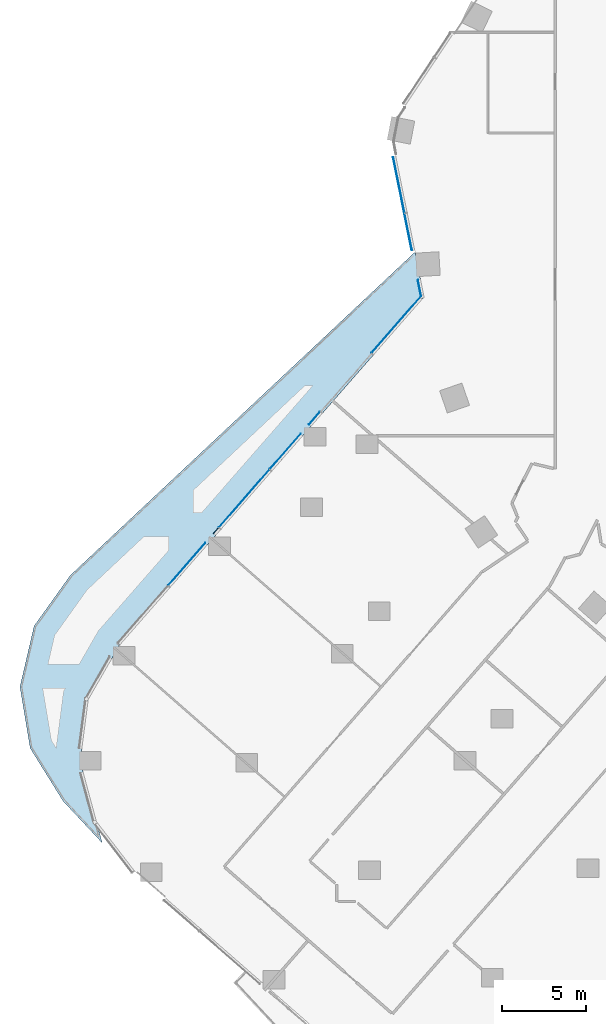
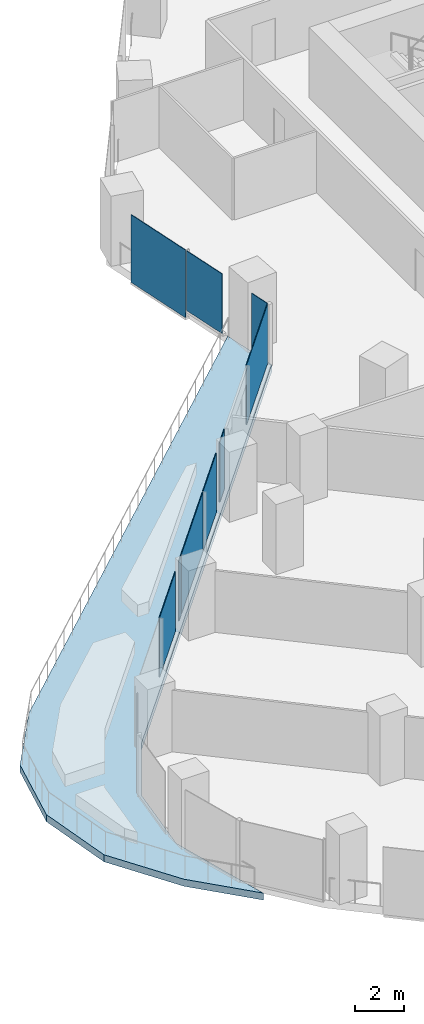
# One storey, part 18 of 32: 9 plates, 1 slab, 2 elements without a shape of their own.
"""IFC4 building model written with IfcOpenShell, lengths in metres."""

from ifc_helpers import new_model, si_unit, direction, frame, origin, origin_2d, place, context, subcontext, project, spatial, polyline, rectangle, outline, extrude, material, layer, layer_set, type_object, element, aggregate, save


model = new_model("IFC4")

# Units and contexts
model_context = context("Model", 3, precision=1e-05, world=origin(), true_north=direction((0.0, 1.0)))
body_context = subcontext(model_context, "Body", "Model", "MODEL_VIEW")
ifc_project = project(units=[si_unit("LENGTHUNIT", "METRE"), si_unit("AREAUNIT", "SQUARE_METRE"), si_unit("VOLUMEUNIT", "CUBIC_METRE"), si_unit("PLANEANGLEUNIT", "RADIAN"), si_unit("MASSUNIT", "GRAM", prefix="KILO")], contexts=[model_context])

# Site, building, storey
site_placement = place(None, origin())
site = spatial("IfcSite", under=ifc_project, at=site_placement, CompositionType="ELEMENT")
building_placement = place(site_placement, origin())
building = spatial("IfcBuilding", under=site, at=building_placement, Name="Orlundy Tower", CompositionType="ELEMENT")
storey_placement = place(building_placement, frame((0.0, 0.0, 58.800048828125)))
storey = spatial("IfcBuildingStorey", under=building, at=storey_placement, Name="L13", CompositionType="ELEMENT", Elevation=58.800048828125)

# Curtain wall, plates
ifc_material_1 = material(Name="Aluminium bronze anodised", Category="aluminium")
curtain_wall_type = type_object("IfcCurtainWallType", Name="CW1 wall", PredefinedType="NOTDEFINED", material=ifc_material_1)
curtain_wall_1_placement = place(storey_placement, origin())
curtain_wall_1 = element("IfcCurtainWall", 1, at=curtain_wall_1_placement, inside=storey, type_object=curtain_wall_type, Name="CW1 run 012", PredefinedType="NOTDEFINED")
ifc_material_2 = material(Name="Tinted glass", Category="glass")
ifc_layer_1 = layer(ifc_material_2, 0.031982421875)
ifc_layer_set_1 = layer_set([ifc_layer_1], Name="CW1 glass panel 32")
plate_type = type_object("IfcPlateType", Name="CW1 glass panel 32", PredefinedType="CURTAIN_PANEL", material=ifc_layer_set_1)
plate_1_placement = place(storey_placement, frame((-43.957275390625, -19.63818359375, 0.119873046875), z_axis=(0.0, 0.0, 1.0), x_axis=(0.658273153933, 0.752779154075, 0.0)))
plate_1 = element("IfcPlate", 2, at=plate_1_placement, type_object=plate_type, Name="CW1 panel", PredefinedType="CURTAIN_PANEL", context=body_context, shape_type="SweptSolid", body=[
    extrude(rectangle(XDim=3.33642578125, YDim=0.031982421875, at=origin_2d()), origin(), (0.0, 0.0, 1.0), 2.97998046875),
])
plate_2_placement = place(storey_placement, frame((-42.218017578125, -17.649169921875, 0.119873046875), z_axis=(0.0, 0.0, 1.0), x_axis=(0.658273153933, 0.752779154075, 0.0)))
plate_2 = element("IfcPlate", 3, at=plate_2_placement, type_object=plate_type, Name="CW1 panel", PredefinedType="CURTAIN_PANEL", context=body_context, shape_type="SweptSolid", body=[
    extrude(rectangle(XDim=0.456787109375, YDim=0.031982421875, at=origin_2d()), origin(), (0.0, 0.0, 1.0), 2.97998046875),
])
plate_3_placement = place(storey_placement, frame((-40.540771484375, -15.731201171875, 0.119873046875), z_axis=(0.0, 0.0, 1.0), x_axis=(0.658273153933, 0.752779154075, 0.0)))
plate_3 = element("IfcPlate", 4, at=plate_3_placement, type_object=plate_type, Name="CW1 panel", PredefinedType="CURTAIN_PANEL", context=body_context, shape_type="SweptSolid", body=[
    extrude(rectangle(XDim=4.538818359375, YDim=0.031982421875, at=origin_2d()), origin(), (0.0, 0.0, 1.0), 2.97998046875),
])
plate_4_placement = place(storey_placement, frame((-38.095458984375, -12.934814453125, 0.119873046875), z_axis=(0.0, 0.0, 1.0), x_axis=(0.658273153933, 0.752779154075, 0.0)))
plate_4 = element("IfcPlate", 5, at=plate_4_placement, type_object=plate_type, Name="CW1 panel", PredefinedType="CURTAIN_PANEL", context=body_context, shape_type="SweptSolid", body=[
    extrude(rectangle(XDim=2.79052734375, YDim=0.031982421875, at=origin_2d()), origin(), (0.0, 0.0, 1.0), 2.97998046875),
])
plate_5_placement = place(storey_placement, frame((-36.355712890625, -10.9453125, 0.119873046875), z_axis=(0.0, 0.0, 1.0), x_axis=(0.658273153933, 0.752779154075, 0.0)))
plate_5 = element("IfcPlate", 6, at=plate_5_placement, type_object=plate_type, Name="CW1 panel", PredefinedType="CURTAIN_PANEL", context=body_context, shape_type="SweptSolid", body=[
    extrude(rectangle(XDim=1.0009765625, YDim=0.031982421875, at=origin_2d()), origin(), (0.0, 0.0, 1.0), 2.97998046875),
])
plate_6_placement = place(storey_placement, frame((-31.4970703125, -5.38916015625, 0.119873046875), z_axis=(0.0, 0.0, 1.0), x_axis=(0.658273153933, 0.752779154075, 0.0)))
plate_6 = element("IfcPlate", 7, at=plate_6_placement, type_object=plate_type, Name="CW1 panel", PredefinedType="CURTAIN_PANEL", context=body_context, shape_type="SweptSolid", body=[
    extrude(rectangle(XDim=4.48291015625, YDim=0.031982421875, at=origin_2d()), origin(), (0.0, 0.0, 1.0), 2.97998046875),
])
aggregate(curtain_wall_1, [plate_1, plate_2, plate_3, plate_4, plate_5, plate_6])

curtain_wall_2_placement = place(storey_placement, origin())
curtain_wall_2 = element("IfcCurtainWall", 8, at=curtain_wall_2_placement, inside=storey, type_object=curtain_wall_type, Name="CW1 run 013", PredefinedType="NOTDEFINED")
plate_7_placement = place(storey_placement, frame((-30.11865234375, -3.21826171875, 0.119873046875), z_axis=(0.0, 0.0, 1.0), x_axis=(-0.196529373401, 0.980497937474, 0.0)))
plate_7 = element("IfcPlate", 9, at=plate_7_placement, type_object=plate_type, Name="CW1 panel", PredefinedType="CURTAIN_PANEL", context=body_context, shape_type="SweptSolid", body=[
    extrude(rectangle(XDim=0.986572265625, YDim=0.031982421875, at=origin_2d()), origin(), (0.0, 0.0, 1.0), 2.97998046875),
])
plate_8_placement = place(storey_placement, frame((-30.789794921875, 0.130126953125, 0.119873046875), z_axis=(0.0, 0.0, 1.0), x_axis=(-0.196529373401, 0.980497937474, 0.0)))
plate_8 = element("IfcPlate", 10, at=plate_8_placement, type_object=plate_type, Name="CW1 panel", PredefinedType="CURTAIN_PANEL", context=body_context, shape_type="SweptSolid", body=[
    extrude(rectangle(XDim=2.209228515625, YDim=0.031982421875, at=origin_2d()), origin(), (0.0, 0.0, 1.0), 2.97998046875),
])
plate_9_placement = place(storey_placement, frame((-31.347900390625, 2.914794921875, -0.280029296875), z_axis=(0.0, 0.0, 1.0), x_axis=(-0.196529373401, 0.980497937474, 0.0)))
plate_9 = element("IfcPlate", 11, at=plate_9_placement, type_object=plate_type, Name="CW1 panel", PredefinedType="CURTAIN_PANEL", context=body_context, shape_type="SweptSolid", body=[
    extrude(rectangle(XDim=3.370849609375, YDim=0.031982421875, at=origin_2d()), origin(), (0.0, 0.0, 1.0), 3.3798828125),
])
aggregate(curtain_wall_2, [plate_7, plate_8, plate_9])

# Slab
ifc_material_3 = material(Name="Concrete C45/55", Category="concrete")
ifc_layer_2 = layer(ifc_material_3, 0.35009765625)
ifc_layer_set_2 = layer_set([ifc_layer_2], Name="TERRACE SLAB 350 C45/55")
slab_type = type_object("IfcSlabType", Name="TERRACE SLAB 350 C45/55", PredefinedType="ROOF", material=ifc_layer_set_2)
slab_placement = place(storey_placement, frame((0.0, 0.0, -0.35009765625)))
element("IfcSlab", 12, at=slab_placement, inside=storey, type_object=slab_type, Name="Terrace slab L13-2", PredefinedType="ROOF", context=body_context, shape_type="SweptSolid", body=[
    extrude(outline(polyline([(-48.989013671875, -36.212890625), (-51.31005859375, -33.73095703125), (-53.26904296875, -30.5849609375), (-53.8759765625, -26.927978515625), (-53.037109375, -23.31689453125), (-50.8798828125, -20.302978515625), (-30.3798828125, -1.073974609375), (-29.844970703125, -3.7490234375), (-47.968994140625, -24.47509765625), (-49.81689453125, -27.68798828125), (-50.2958984375, -31.363037109375), (-48.989013671875, -36.212890625)])), origin(), (0.0, 0.0, 1.0), 0.35009765625),
])

save(model, "model.ifc")
